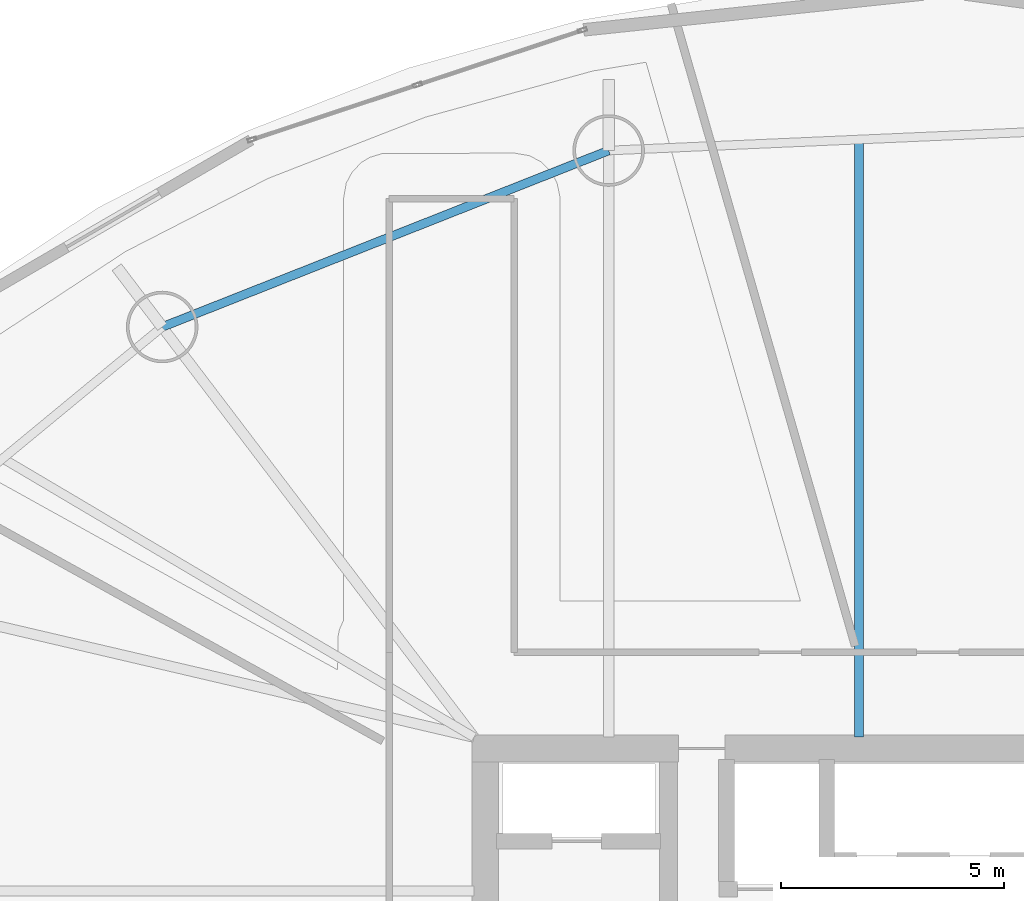
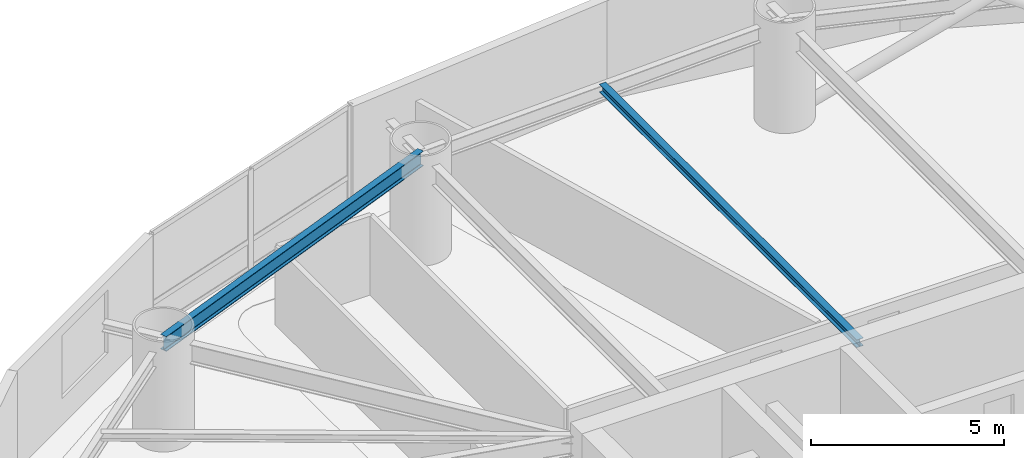
# One storey, part 13 of 25: 2 beams.
"""IFC4 building model written with IfcOpenShell, lengths in metres."""

from ifc_helpers import new_model, si_unit, direction, frame, origin, origin_2d, place, context, subcontext, project, spatial, i_section, extrude, material, material_profile, profile_set, type_object, element, save


model = new_model("IFC4")

# Units and contexts
model_context = context("Model", 3, precision=1e-05, world=origin(), true_north=direction((0.0, 1.0)))
body_context = subcontext(model_context, "Body", "Model", "MODEL_VIEW")
ifc_project = project(units=[si_unit("LENGTHUNIT", "METRE"), si_unit("AREAUNIT", "SQUARE_METRE"), si_unit("VOLUMEUNIT", "CUBIC_METRE"), si_unit("PLANEANGLEUNIT", "RADIAN"), si_unit("MASSUNIT", "GRAM", prefix="KILO")], contexts=[model_context])

# Site, building, storey
site_placement = place(None, origin())
site = spatial("IfcSite", under=ifc_project, at=site_placement, CompositionType="ELEMENT")
building_placement = place(site_placement, origin())
building = spatial("IfcBuilding", under=site, at=building_placement, Name="Bramvorn Convention Spire", CompositionType="ELEMENT")
storey_placement = place(building_placement, frame((0.0, 0.0, 93.89990234375)))
storey = spatial("IfcBuildingStorey", under=building, at=storey_placement, Name="L22", CompositionType="ELEMENT", Elevation=93.89990234375)

# Beams
ifc_material = material(Name="Steel CSA G40.21 Grade 350 (350W)", Category="steel")
ifc_material_profile_1 = material_profile(ifc_material, i_section(OverallWidth=0.201904296875, OverallDepth=0.2470703125, WebThickness=0.00732421875, FlangeThickness=0.010986328125, FilletRadius=0.011962890625, at=origin_2d()))
ifc_profile_set_1 = profile_set([ifc_material_profile_1], Name="Steel CSA G40.21 Grade 350 (350W) - W250X49")
beam_type_1 = type_object("IfcBeamType", Name="BM-W250X49", PredefinedType="JOIST", material=ifc_profile_set_1)
beam_1_placement = place(storey_placement, frame((35.361572265625, 33.449951171875, 3.026611328125), z_axis=(0.0, 1.0, 0.0), x_axis=(-1.0, 0.0, 0.0)))
element("IfcBeam", 1, at=beam_1_placement, inside=storey, type_object=beam_type_1, Name="L22 composite floor joist 05", PredefinedType="JOIST", context=body_context, shape_type="SweptSolid", body=[
    extrude(i_section(OverallWidth=0.201904296875, OverallDepth=0.2470703125, WebThickness=0.00732421875, FlangeThickness=0.010986328125, FilletRadius=0.011962890625, at=origin_2d()), origin(), (0.0, 0.0, 1.0), 13.372802734375),
])
ifc_material_profile_2 = material_profile(ifc_material, i_section(OverallWidth=0.194091796875, OverallDepth=0.468994140625, WebThickness=0.0126953125, FlangeThickness=0.0205078125, FilletRadius=0.01806640625, at=origin_2d()))
ifc_profile_set_2 = profile_set([ifc_material_profile_2], Name="Steel CSA G40.21 Grade 350 (350W) - W460X106")
beam_type_2 = type_object("IfcBeamType", Name="BM-W460X106", PredefinedType="SPANDREL", material=ifc_profile_set_2)
beam_2_placement = place(storey_placement, frame((29.76220703125, 46.57666015625, 2.91552734375), z_axis=(-0.93000950609, -0.367535465749, 0.0), x_axis=(0.367535465749, -0.93000950609, 0.0)))
element("IfcBeam", 2, at=beam_2_placement, inside=storey, type_object=beam_type_2, Name="L22 mega-column ring beam 06", PredefinedType="SPANDREL", context=body_context, shape_type="SweptSolid", body=[
    extrude(i_section(OverallWidth=0.194091796875, OverallDepth=0.468994140625, WebThickness=0.0126953125, FlangeThickness=0.0205078125, FilletRadius=0.01806640625, at=origin_2d()), origin(), (0.0, 0.0, 1.0), 10.74169921875),
])

save(model, "model.ifc")
